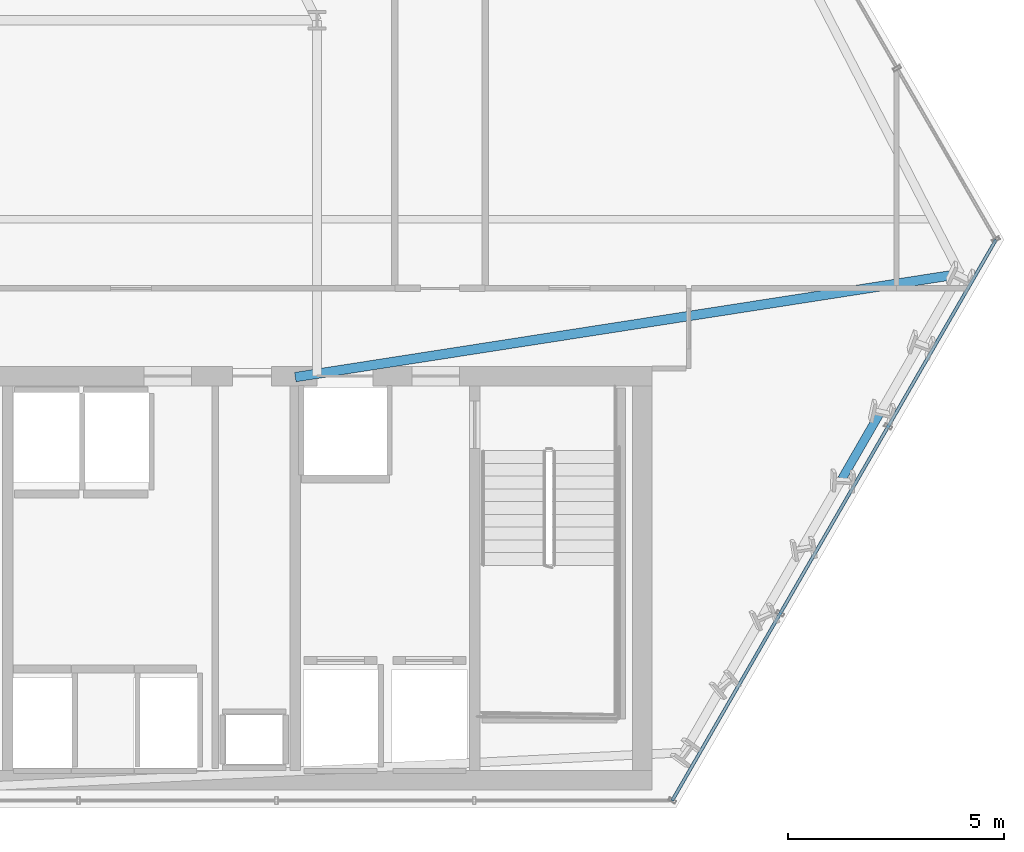
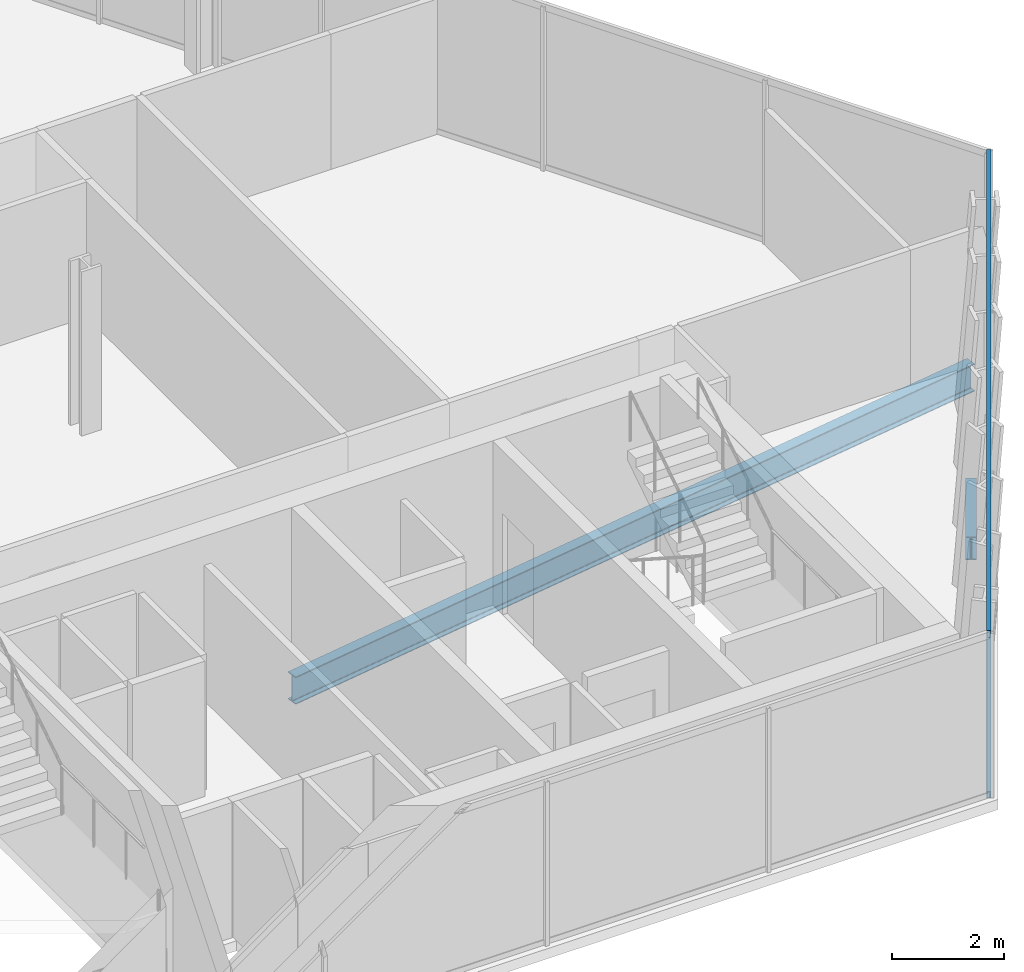
# One storey, part 17 of 32: 2 beams, 2 members, 1 element without a shape of its own.
"""IFC4 building model written with IfcOpenShell, lengths in metres."""

import ifcopenshell
import ifcopenshell.guid

model = None  # the IFC model being written
_history = None  # IfcOwnerHistory: only IFC2X3 demands one
_inside = {}  # id of a spatial element -> (the spatial element, [elements in it])
_under = {}  # id of a project, library or spatial element -> (it, [spatial elements below it])
_declared = {}  # id of a project -> (the project, [libraries it declares])
_typed = {}  # id of a type object -> (the type object, [elements of that type])
_made_of = {}  # id of a material, layer set ... -> (it, [elements and type objects made of it])


def new_model(schema):
    """Start an empty IFC model of exactly this schema.

    Asked for "IFC4X3", IfcOpenShell would pick the latest addendum, in which some entities
    have other attributes; the version numbers below select the first issue.
    IFC2X3 requires an IfcOwnerHistory on every rooted entity: one is made here for all.
    """
    global model, _history
    if schema == "IFC4X3":
        model = ifcopenshell.file(schema_version=(4, 3, 0, 0))
    else:
        model = ifcopenshell.file(schema=schema)
    _inside.clear()
    _under.clear()
    _declared.clear()
    _typed.clear()
    _made_of.clear()
    _history = None
    if model.schema == "IFC2X3":
        org = make("IfcOrganization", Name="unknown")
        user = make(
            "IfcPersonAndOrganization",
            ThePerson=make("IfcPerson", FamilyName="unknown"),
            TheOrganization=org,
        )
        app = make(
            "IfcApplication",
            ApplicationDeveloper=org,
            Version="unknown",
            ApplicationFullName="unknown",
            ApplicationIdentifier="unknown",
        )
        _history = make(
            "IfcOwnerHistory",
            OwningUser=user,
            OwningApplication=app,
            ChangeAction="ADDED",
            CreationDate=0,
        )
    return model


def make(cls, **values):
    """One entity of the class cls with the attributes given. An attribute that is None is left unset."""
    return model.create_entity(
        cls, **{name: value for name, value in values.items() if value is not None}
    )


def rooted(cls, **values):
    """An entity with a GlobalId (a new one), such as an element, a storey or a relation."""
    return make(cls, GlobalId=ifcopenshell.guid.new(), OwnerHistory=_history, **values)


def si_unit(unit_type, name, prefix=None):
    """IfcSIUnit, for example si_unit("LENGTHUNIT", "METRE", prefix="MILLI")."""
    return make("IfcSIUnit", UnitType=unit_type, Prefix=prefix, Name=name)


def assignment(units):
    """IfcUnitAssignment: the units of a project."""
    return None if units is None else make("IfcUnitAssignment", Units=units)


def point(xyz):
    """IfcCartesianPoint."""
    return None if xyz is None else make("IfcCartesianPoint", Coordinates=xyz)


def direction(xyz):
    """IfcDirection."""
    return None if xyz is None else make("IfcDirection", DirectionRatios=xyz)


def frame(location, z_axis=None, x_axis=None):
    """IfcAxis2Placement3D, a coordinate frame: its origin and axes. An axis left out is left unset."""
    return make(
        "IfcAxis2Placement3D",
        Location=point(location),
        Axis=direction(z_axis),
        RefDirection=direction(x_axis),
    )


def frame_2d(location, x_axis=None):
    """IfcAxis2Placement2D, a coordinate frame in the plane: its origin and x axis."""
    return make(
        "IfcAxis2Placement2D", Location=point(location), RefDirection=direction(x_axis)
    )


def origin():
    """The frame at (0, 0, 0) with its axes left unset."""
    return frame((0.0, 0.0, 0.0))


def origin_2d():
    """The frame at (0, 0) in the plane with its x axis left unset."""
    return frame_2d((0.0, 0.0))


def place(relative_to, where):
    """IfcLocalPlacement: puts the frame where relative to a parent placement (None: the world)."""
    return make(
        "IfcLocalPlacement", PlacementRelTo=relative_to, RelativePlacement=where
    )


def context(
    kind, dimensions, precision=None, world=None, true_north=None, identifier=None
):
    """IfcGeometricRepresentationContext, for example the 3D "Model" context."""
    return make(
        "IfcGeometricRepresentationContext",
        ContextIdentifier=identifier,
        ContextType=kind,
        CoordinateSpaceDimension=dimensions,
        Precision=precision,
        WorldCoordinateSystem=world,
        TrueNorth=true_north,
    )


def subcontext(parent, identifier, kind, view, scale=None):
    """IfcGeometricRepresentationSubContext, for example "Body" below "Model"."""
    return make(
        "IfcGeometricRepresentationSubContext",
        ContextIdentifier=identifier,
        ContextType=kind,
        ParentContext=parent,
        TargetScale=scale,
        TargetView=view,
    )


def project(units=None, contexts=None):
    """IfcProject with its units and contexts."""
    return rooted(
        "IfcProject",
        Name="project",
        RepresentationContexts=contexts,
        UnitsInContext=assignment(units),
    )


def spatial(cls, under=None, at=None, **own):
    """A site, building, storey or space (cls), placed at a placement, below another one or the project."""
    s = rooted(cls, ObjectPlacement=at, **own)
    if under is not None:
        _under.setdefault(under.id(), (under, []))[1].append(s)
    return s


def profile(cls, at=None, kind="AREA", **sizes):
    """A parametric profile (cls). Its sizes go by their IFC names, for example OverallWidth=200.0."""
    return make(cls, ProfileType=kind, Position=at, **sizes)


def hollow_rectangle(**sizes):
    """IfcRectangleHollowProfileDef."""
    return profile("IfcRectangleHollowProfileDef", **sizes)


def i_section(**sizes):
    """IfcIShapeProfileDef."""
    return profile("IfcIShapeProfileDef", **sizes)


def extrude(swept, where, along, depth):
    """IfcExtrudedAreaSolid: the profile swept, set in the frame where, extruded along a direction by depth."""
    return make(
        "IfcExtrudedAreaSolid",
        SweptArea=swept,
        Position=where,
        ExtrudedDirection=direction(along),
        Depth=depth,
    )


def shape(context_of_items, identifier, shape_type, items):
    """IfcShapeRepresentation: the items that make up one representation, for example the "Body"."""
    return make(
        "IfcShapeRepresentation",
        ContextOfItems=context_of_items,
        RepresentationIdentifier=identifier,
        RepresentationType=shape_type,
        Items=items,
    )


def material(Name=None, Category=None):
    """IfcMaterial."""
    return make("IfcMaterial", Name=Name, Category=Category)


def layer(
    of_material, thickness, ventilated=None, Name=None, Category=None, Priority=None
):
    """IfcMaterialLayer: one layer of a wall or slab, of a material (None: an air gap)."""
    return make(
        "IfcMaterialLayer",
        Material=of_material,
        LayerThickness=thickness,
        IsVentilated=ventilated,
        Name=Name,
        Category=Category,
        Priority=Priority,
    )


def layer_set(layers, Name=None):
    """IfcMaterialLayerSet."""
    return make("IfcMaterialLayerSet", MaterialLayers=layers, LayerSetName=Name)


def material_profile(
    of_material, cross_section, Name=None, Category=None, Priority=None
):
    """IfcMaterialProfile: a cross section and its material."""
    return make(
        "IfcMaterialProfile",
        Name=Name,
        Material=of_material,
        Profile=cross_section,
        Priority=Priority,
        Category=Category,
    )


def profile_set(profiles, Name=None, composite=None):
    """IfcMaterialProfileSet."""
    return make(
        "IfcMaterialProfileSet",
        Name=Name,
        MaterialProfiles=profiles,
        CompositeProfile=composite,
    )


def made_of(thing, what):
    """Note that an element or type object is made of a material, layer set ...; save() writes the relation."""
    if what is not None:
        _made_of.setdefault(what.id(), (what, []))[1].append(thing)
    return thing


def type_object(cls, material=None, **own):
    """A type object (cls), such as IfcWallType, which elements share."""
    return made_of(rooted(cls, **own), material)


def element(
    cls,
    number,
    at=None,
    inside=None,
    cuts=None,
    type_object=None,
    material=None,
    context=None,
    identifier="Body",
    shape_type=None,
    held_by="IfcProductDefinitionShape",
    body=None,
    shapes=None,
    **own,
):
    """One element of the class cls, such as IfcWall. Its Tag is "e" and its number.

    at: its placement. inside: the storey or other place that contains it. cuts: it is an
    opening in that element (IfcRelVoidsElement). A single representation is given by context,
    identifier, shape_type and body (its items); several are given by shapes. held_by: the class
    of the entity that holds the representations. save() writes the other relations.
    """
    e = rooted(cls, Tag="e%d" % number, ObjectPlacement=at, **own)
    if body is not None:
        shapes = [shape(context, identifier, shape_type, body)]
    if shapes is not None:
        e.Representation = make(held_by, Representations=shapes)
    if inside is not None:
        _inside.setdefault(inside.id(), (inside, []))[1].append(e)
    if cuts is not None:
        rooted(
            "IfcRelVoidsElement", RelatingBuildingElement=cuts, RelatedOpeningElement=e
        )
    if type_object is not None:
        _typed.setdefault(type_object.id(), (type_object, []))[1].append(e)
    return made_of(e, material)


def aggregate(whole, parts):
    """IfcRelAggregates: a whole, such as a stair, and the parts it consists of."""
    return rooted("IfcRelAggregates", RelatingObject=whole, RelatedObjects=parts)


def save(model, path):
    """Write the relations noted so far, then the file.

    IfcRelAggregates (storeys below a building ...), IfcRelContainedInSpatialStructure (elements
    in a storey), IfcRelDefinesByType, IfcRelAssociatesMaterial and IfcRelDeclares: one each for
    every whole, place, type object, material and project.
    """
    for whole, parts in _under.values():
        aggregate(whole, parts)
    for where, things in _inside.values():
        rooted(
            "IfcRelContainedInSpatialStructure",
            RelatedElements=things,
            RelatingStructure=where,
        )
    for kind, things in _typed.values():
        rooted("IfcRelDefinesByType", RelatedObjects=things, RelatingType=kind)
    for what, things in _made_of.values():
        rooted("IfcRelAssociatesMaterial", RelatedObjects=things, RelatingMaterial=what)
    for by, libraries in _declared.values():
        rooted("IfcRelDeclares", RelatingContext=by, RelatedDefinitions=libraries)
    model.write(path)


model = new_model("IFC4")

# Units and contexts
model_context = context("Model", 3, precision=1e-05, world=origin(), true_north=direction((0.0, 1.0)))
body_context = subcontext(model_context, "Body", "Model", "MODEL_VIEW")
ifc_project = project(units=[si_unit("LENGTHUNIT", "METRE"), si_unit("AREAUNIT", "SQUARE_METRE"), si_unit("VOLUMEUNIT", "CUBIC_METRE"), si_unit("PLANEANGLEUNIT", "RADIAN"), si_unit("MASSUNIT", "GRAM", prefix="KILO")], contexts=[model_context])

# Site, building, storey
site_placement = place(None, origin())
site = spatial("IfcSite", under=ifc_project, at=site_placement, CompositionType="ELEMENT")
building_placement = place(site_placement, origin())
building = spatial("IfcBuilding", under=site, at=building_placement, Name="Ndaravel Arena Tower", CompositionType="ELEMENT")
storey_placement = place(building_placement, frame((0.0, 0.0, 77.800048828125)))
storey = spatial("IfcBuildingStorey", under=building, at=storey_placement, Name="L17", CompositionType="ELEMENT", Elevation=77.800048828125)

# Beams
ifc_material_1 = material(Name="Steel S355", Category="steel")
ifc_material_profile_1 = material_profile(ifc_material_1, i_section(OverallWidth=0.219970703125, OverallDepth=0.60009765625, WebThickness=0.011962890625, FlangeThickness=0.01904296875, FilletRadius=0.02392578125, at=origin_2d()), Name="IPE 600")
ifc_profile_set_1 = profile_set([ifc_material_profile_1], Name="Steel S355")
beam_type_1 = type_object("IfcBeamType", Name="BM-GIRD-IPE600", PredefinedType="BEAM", material=ifc_profile_set_1)
beam_1_placement = place(storey_placement, frame((64.675537109375, 17.336669921875, -0.52001953125), z_axis=(-0.988165457606, -0.153391748127, 0.0), x_axis=(0.153391748127, -0.988165457606, 0.0)))
element("IfcBeam", 1, at=beam_1_placement, inside=storey, type_object=beam_type_1, Name="L17 Radial Floor Girder FG-09", PredefinedType="BEAM", context=body_context, shape_type="SweptSolid", body=[
    extrude(i_section(OverallWidth=0.219970703125, OverallDepth=0.60009765625, WebThickness=0.011962890625, FlangeThickness=0.01904296875, FilletRadius=0.02392578125, at=origin_2d()), origin(), (0.0, 0.0, 1.0), 15.5595703125),
])
ifc_material_2 = material(Name="Steel S355", Category="steel")
ifc_material_profile_2 = material_profile(ifc_material_2, i_section(OverallWidth=0.199951171875, OverallDepth=0.5, WebThickness=0.01025390625, FlangeThickness=0.01611328125, FilletRadius=0.02099609375, at=origin_2d()), Name="IPE 500")
ifc_profile_set_2 = profile_set([ifc_material_profile_2], Name="Steel S355")
beam_type_2 = type_object("IfcBeamType", Name="BM-SPAN-IPE500", PredefinedType="SPANDREL", material=ifc_profile_set_2)
beam_2_placement = place(storey_placement, frame((61.9375, 12.593994140625, -0.469970703125), z_axis=(0.499965592563, 0.866045268016, 0.0), x_axis=(-0.866045268016, 0.499965592563, 0.0)))
element("IfcBeam", 2, at=beam_2_placement, inside=storey, type_object=beam_type_2, Name="L17 Perimeter Spandrel Beam SP-06", PredefinedType="SPANDREL", context=body_context, shape_type="SweptSolid", body=[
    extrude(i_section(OverallWidth=0.199951171875, OverallDepth=0.5, WebThickness=0.01025390625, FlangeThickness=0.01611328125, FilletRadius=0.02099609375, at=origin_2d()), origin(), (0.0, 0.0, 1.0), 1.825439453125),
])

# Curtain wall, members
ifc_material_3 = material(Name="Aluminium", Category="aluminium")
ifc_layer = layer(ifc_material_3, 0.179931640625)
ifc_layer_set = layer_set([ifc_layer], Name="Aluminium")
curtain_wall_type = type_object("IfcCurtainWallType", Name="CW-SYS-01", PredefinedType="NOTDEFINED", material=ifc_layer_set)
curtain_wall_placement = place(storey_placement, origin())
curtain_wall = element("IfcCurtainWall", 3, at=curtain_wall_placement, inside=storey, type_object=curtain_wall_type, Name="L17 Faceted Crystal Curtain Wall CW-L17-E02", PredefinedType="NOTDEFINED")
ifc_material_4 = material(Name="Aluminium", Category="aluminium")
ifc_material_profile_3 = material_profile(ifc_material_4, hollow_rectangle(XDim=0.074951171875, YDim=0.14990234375, WallThickness=0.00390625, at=origin_2d()), Name="CW TRANSOM 75x150x4")
ifc_profile_set_3 = profile_set([ifc_material_profile_3], Name="Aluminium")
member_type = type_object("IfcMemberType", Name="MEM-CW-TRN150", PredefinedType="USERDEFINED", material=ifc_profile_set_3)
member_1_placement = place(storey_placement, frame((58.014892578125, 5.159912109375, 0.0400390625), z_axis=(0.499995326169, 0.866028102205, 0.0), x_axis=(-0.866028102205, 0.499995326169, 0.0)))
member_1 = element("IfcMember", 4, at=member_1_placement, type_object=member_type, Name="CW-L17-E02 Transom 01", ObjectType="TRANSOM", PredefinedType="USERDEFINED", context=body_context, shape_type="SweptSolid", body=[
    extrude(hollow_rectangle(XDim=0.074951171875, YDim=0.14990234375, WallThickness=0.00390625, at=origin_2d()), origin(), (0.0, 0.0, 1.0), 14.973388671875),
])
member_2_placement = place(storey_placement, frame((58.014892578125, 5.159912109375, 3.5400390625), z_axis=(0.499995326169, 0.866028102205, 0.0), x_axis=(-0.866028102205, 0.499995326169, 0.0)))
member_2 = element("IfcMember", 5, at=member_2_placement, type_object=member_type, Name="CW-L17-E02 Transom 02", ObjectType="TRANSOM", PredefinedType="USERDEFINED", context=body_context, shape_type="SweptSolid", body=[
    extrude(hollow_rectangle(XDim=0.074951171875, YDim=0.14990234375, WallThickness=0.00390625, at=origin_2d()), origin(), (0.0, 0.0, 1.0), 14.973388671875),
])
aggregate(curtain_wall, [member_1, member_2])

save(model, "model.ifc")
